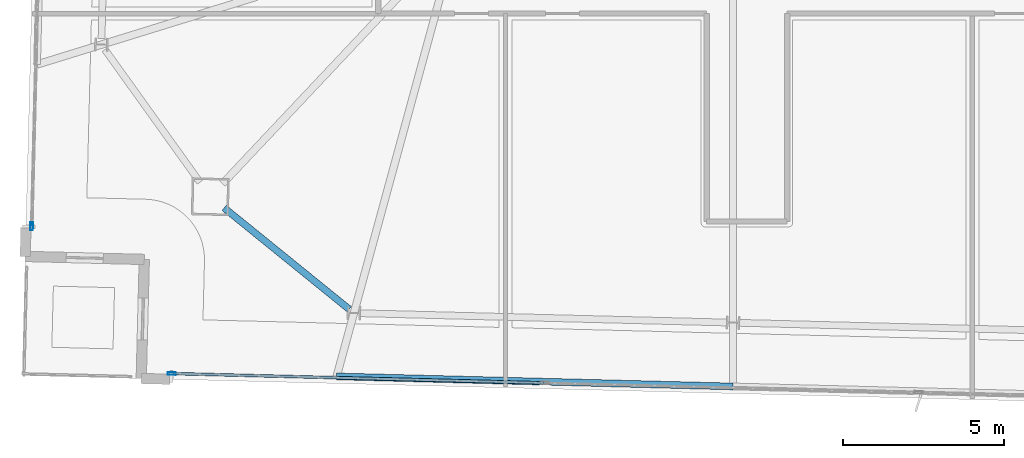
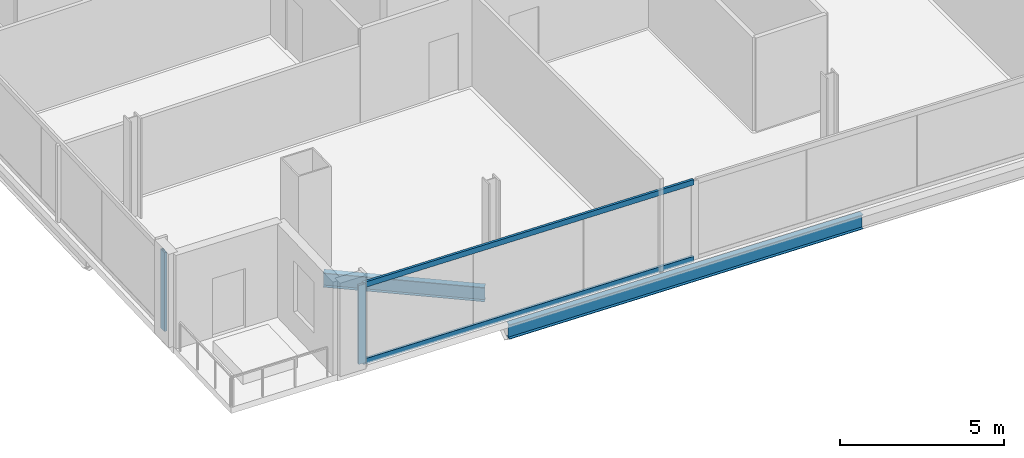
# One storey, part 2 of 25: 4 members, 2 beams, 2 elements without a shape of their own.
"""IFC4 building model written with IfcOpenShell, lengths in metres."""

from ifc_helpers import new_model, si_unit, direction, frame, origin, origin_2d, place, context, subcontext, project, spatial, hollow_rectangle, i_section, extrude, material, material_profile, profile_set, type_object, element, aggregate, save


model = new_model("IFC4")

# Units and contexts
model_context = context("Model", 3, precision=1e-05, world=origin(), true_north=direction((0.0, 1.0)))
body_context = subcontext(model_context, "Body", "Model", "MODEL_VIEW")
ifc_project = project(units=[si_unit("LENGTHUNIT", "METRE"), si_unit("AREAUNIT", "SQUARE_METRE"), si_unit("VOLUMEUNIT", "CUBIC_METRE"), si_unit("PLANEANGLEUNIT", "RADIAN"), si_unit("MASSUNIT", "GRAM", prefix="KILO")], contexts=[model_context])

# Site, building, storey
site_placement = place(None, origin())
site = spatial("IfcSite", under=ifc_project, at=site_placement, CompositionType="ELEMENT")
building_placement = place(site_placement, origin())
building = spatial("IfcBuilding", under=site, at=building_placement, Name="Haldenkirk Collegiate Tower", CompositionType="ELEMENT")
storey_placement = place(building_placement, frame((0.0, 0.0, 325.199951171875)))
storey = spatial("IfcBuildingStorey", under=building, at=storey_placement, Name="L82", CompositionType="ELEMENT", Elevation=325.199951171875)

# Beams
ifc_material_1 = material(Name="Steel ASTM A992 Grade 50", Category="steel")
ifc_material_profile_1 = material_profile(ifc_material_1, i_section(OverallWidth=0.2099609375, OverallDepth=0.537109375, WebThickness=0.010986328125, FlangeThickness=0.017333984375, at=origin_2d()), Name="W21X68")
ifc_profile_set_1 = profile_set([ifc_material_profile_1], Name="Steel ASTM A992 Grade 50")
beam_type = type_object("IfcBeamType", Name="BM-SPANDREL-W21X68", PredefinedType="SPANDREL", material=ifc_profile_set_1)
beam_1_placement = place(storey_placement, frame((19.767578125, 9.51708984375, -0.528564453125), z_axis=(0.776950131303, -0.629562144247, 0.0), x_axis=(0.629562144247, 0.776950131303, 0.0)))
element("IfcBeam", 1, at=beam_1_placement, inside=storey, type_object=beam_type, Name="L82 perimeter spandrel beam 13", PredefinedType="SPANDREL", context=body_context, shape_type="SweptSolid", body=[
    extrude(i_section(OverallWidth=0.2099609375, OverallDepth=0.537109375, WebThickness=0.010986328125, FlangeThickness=0.017333984375, at=origin_2d()), origin(), (0.0, 0.0, 1.0), 4.99755859375),
])
beam_2_placement = place(storey_placement, frame((23.260009765625, 4.285400390625, -0.528564453125), z_axis=(0.999679819499, -0.025303329558, 0.0), x_axis=(0.025303329558, 0.999679819499, 0.0)))
element("IfcBeam", 2, at=beam_2_placement, inside=storey, type_object=beam_type, Name="L82 outer facade edge beam 4A", PredefinedType="SPANDREL", context=body_context, shape_type="SweptSolid", body=[
    extrude(i_section(OverallWidth=0.2099609375, OverallDepth=0.537109375, WebThickness=0.010986328125, FlangeThickness=0.017333984375, at=origin_2d()), origin(), (0.0, 0.0, 1.0), 12.3115234375),
])

# Curtain wall, member
ifc_material_2 = material(Name="Anodised architectural bronze aluminium", Category="aluminium")
curtain_wall_type = type_object("IfcCurtainWallType", Name="CW-SYS1B-CONVEX-HI", PredefinedType="USERDEFINED", material=ifc_material_2)
curtain_wall_1_placement = place(storey_placement, origin())
curtain_wall_1 = element("IfcCurtainWall", 3, at=curtain_wall_1_placement, inside=storey, type_object=curtain_wall_type, Name="L82 Upper tower high-wind convex bronze unitised curtain wall", ObjectType="UNITISED CURTAIN WALL", PredefinedType="USERDEFINED")
ifc_material_profile_2 = material_profile(ifc_material_2, hollow_rectangle(XDim=0.0849609375, YDim=0.25, WallThickness=0.0048828125, at=origin_2d()), Name="CW-MUL-1B")
ifc_profile_set_2 = profile_set([ifc_material_profile_2], Name="Anodised architectural bronze aluminium")
member_type_1 = type_object("IfcMemberType", Name="CW-MUL-1B", PredefinedType="MULLION", material=ifc_profile_set_2)
member_1_placement = place(storey_placement, frame((13.791259765625, 8.948974609375, 0.0), z_axis=(0.0, 0.0, 1.0), x_axis=(-0.99967982494, 0.025303114586, 0.0)))
member_1 = element("IfcMember", 4, at=member_1_placement, type_object=member_type_1, Name="CW-1B mullion 1", PredefinedType="MULLION", context=body_context, shape_type="SweptSolid", body=[
    extrude(hollow_rectangle(XDim=0.0849609375, YDim=0.25, WallThickness=0.0048828125, at=origin_2d()), origin(), (0.0, 0.0, 1.0), 2.947998046875),
])
aggregate(curtain_wall_1, [member_1])

# Curtain wall, members
curtain_wall_2_placement = place(storey_placement, origin())
curtain_wall_2 = element("IfcCurtainWall", 5, at=curtain_wall_2_placement, inside=storey, type_object=curtain_wall_type, Name="L82 Upper tower high-wind convex bronze unitised curtain wall", ObjectType="UNITISED CURTAIN WALL", PredefinedType="USERDEFINED")
member_2_placement = place(storey_placement, frame((18.1396484375, 4.375, 0.0), z_axis=(0.0, 0.0, 1.0), x_axis=(-0.025301745011, -0.999679859605, 0.0)))
member_2 = element("IfcMember", 6, at=member_2_placement, type_object=member_type_1, Name="CW-1B mullion 4", PredefinedType="MULLION", context=body_context, shape_type="SweptSolid", body=[
    extrude(hollow_rectangle(XDim=0.0849609375, YDim=0.25, WallThickness=0.0048828125, at=origin_2d()), origin(), (0.0, 0.0, 1.0), 2.947998046875),
])
ifc_material_profile_3 = material_profile(ifc_material_2, hollow_rectangle(XDim=0.0849609375, YDim=0.199951171875, WallThickness=0.0048828125, at=origin_2d()), Name="CW-TRN-1B")
ifc_profile_set_3 = profile_set([ifc_material_profile_3], Name="Anodised architectural bronze aluminium")
member_type_2 = type_object("IfcMemberType", Name="CW-TRN-1B", PredefinedType="USERDEFINED", material=ifc_profile_set_3)
member_3_placement = place(storey_placement, frame((29.676025390625, 4.0830078125, 0.04248046875), z_axis=(-0.999680161549, 0.025289812282, 0.0), x_axis=(-0.025289812282, -0.999680161549, 0.0)))
member_3 = element("IfcMember", 7, at=member_3_placement, type_object=member_type_2, Name="CW-1B transom 3.1", ObjectType="TRANSOM", PredefinedType="USERDEFINED", context=body_context, shape_type="SweptSolid", body=[
    extrude(hollow_rectangle(XDim=0.0849609375, YDim=0.199951171875, WallThickness=0.0048828125, at=origin_2d()), origin(), (0.0, 0.0, 1.0), 11.49755859375),
])
member_4_placement = place(storey_placement, frame((29.676025390625, 4.0830078125, 2.905517578125), z_axis=(-0.999680161549, 0.025289812282, 0.0), x_axis=(-0.025289812282, -0.999680161549, 0.0)))
member_4 = element("IfcMember", 8, at=member_4_placement, type_object=member_type_2, Name="CW-1B transom 3.2", ObjectType="TRANSOM", PredefinedType="USERDEFINED", context=body_context, shape_type="SweptSolid", body=[
    extrude(hollow_rectangle(XDim=0.0849609375, YDim=0.199951171875, WallThickness=0.0048828125, at=origin_2d()), origin(), (0.0, 0.0, 1.0), 11.49755859375),
])
aggregate(curtain_wall_2, [member_2, member_3, member_4])

save(model, "model.ifc")
